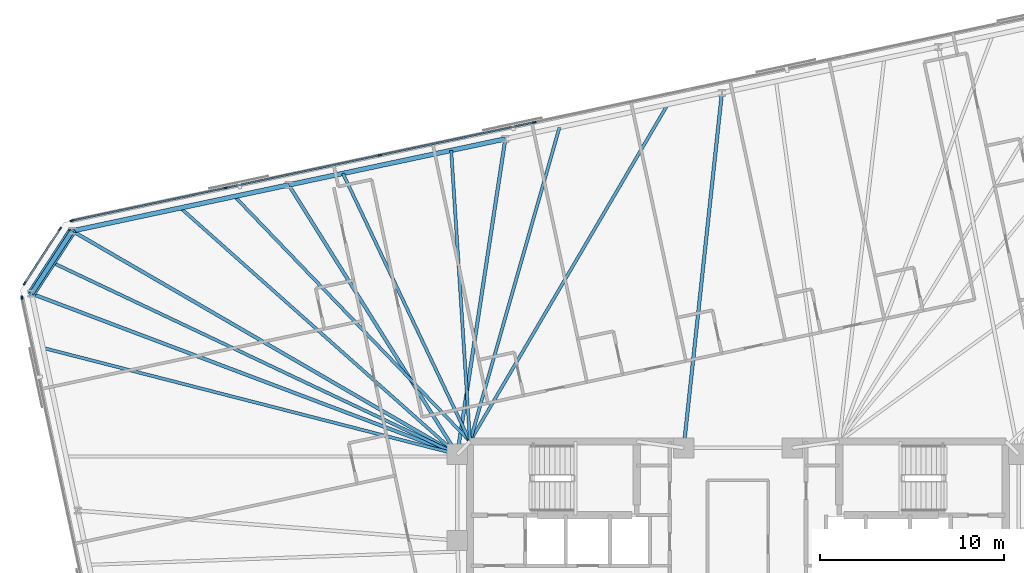
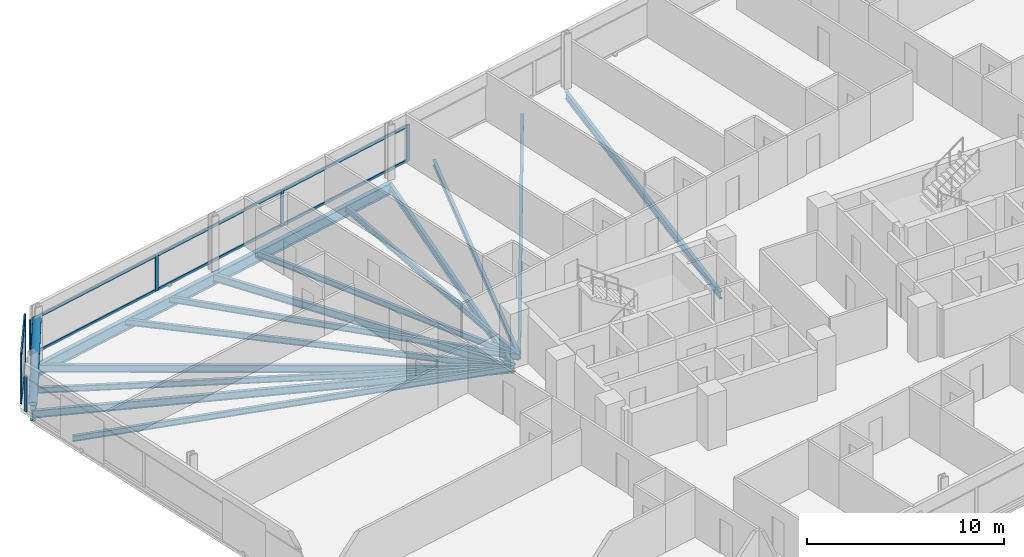
# One storey, part 9 of 20: 16 beams, 16 members, 3 elements without a shape of their own.
"""IFC4 building model written with IfcOpenShell, lengths in metres."""

from ifc_helpers import new_model, si_unit, direction, frame, origin, origin_2d, place, context, subcontext, project, spatial, rectangle, hollow_circle, i_section, extrude, material, material_profile, profile_set, type_object, element, aggregate, save


model = new_model("IFC4")

# Units and contexts
model_context = context("Model", 3, precision=1e-05, world=origin(), true_north=direction((0.0, 1.0)))
body_context = subcontext(model_context, "Body", "Model", "MODEL_VIEW")
ifc_project = project(units=[si_unit("LENGTHUNIT", "METRE"), si_unit("AREAUNIT", "SQUARE_METRE"), si_unit("VOLUMEUNIT", "CUBIC_METRE"), si_unit("PLANEANGLEUNIT", "RADIAN"), si_unit("MASSUNIT", "GRAM", prefix="KILO")], contexts=[model_context])

# Site, building, storey
site_placement = place(None, origin())
site = spatial("IfcSite", under=ifc_project, at=site_placement, CompositionType="ELEMENT")
building_placement = place(site_placement, origin())
building = spatial("IfcBuilding", under=site, at=building_placement, Name="Menara Jurai Vektor", CompositionType="ELEMENT")
storey_placement = place(building_placement, frame((0.0, 0.0, 199.0)))
storey = spatial("IfcBuildingStorey", under=building, at=storey_placement, Name="L52", CompositionType="ELEMENT", Elevation=199.0)

# Curtain wall, members
ifc_material_1 = material(Name="Anodised Pale Aluminium & Low-E Double Glazing", Category="aluminium")
curtain_wall_type = type_object("IfcCurtainWallType", Name="CW-BLK3", PredefinedType="NOTDEFINED", material=ifc_material_1)
curtain_wall_1_placement = place(storey_placement, origin())
curtain_wall_1 = element("IfcCurtainWall", 1, at=curtain_wall_1_placement, inside=storey, type_object=curtain_wall_type, Name="Unitised Curtain Wall L52 F05", PredefinedType="NOTDEFINED")
ifc_material_2 = material(Name="Anodised Pale Aluminium Mullion", Category="aluminium")
ifc_material_profile_1 = material_profile(ifc_material_2, rectangle(XDim=0.0849609375, YDim=0.205078125, at=origin_2d()), Name="ALU MUL 85x205")
ifc_profile_set_1 = profile_set([ifc_material_profile_1], Name="Anodised Pale Aluminium Mullion")
member_type_1 = type_object("IfcMemberType", Name="CW-BLK3-MUL", PredefinedType="MULLION", material=ifc_profile_set_1)
member_1_placement = place(storey_placement, frame((-11.06494140625, 22.9384765625, 0.0), z_axis=(0.0, 0.0, 1.0), x_axis=(0.207911344156, -0.978147674419, 0.0)))
member_1 = element("IfcMember", 2, at=member_1_placement, type_object=member_type_1, Name="CW-03 mullion 5", PredefinedType="MULLION", context=body_context, shape_type="SweptSolid", body=[
    extrude(rectangle(XDim=0.0849609375, YDim=0.205078125, at=origin_2d()), origin(), (0.0, 0.0, 1.0), 2.22509765625),
])
member_2_placement = place(storey_placement, frame((-19.45458984375, 21.1552734375, 0.0), z_axis=(0.0, 0.0, 1.0), x_axis=(0.207911344156, -0.978147674419, 0.0)))
member_2 = element("IfcMember", 3, at=member_2_placement, type_object=member_type_1, Name="CW-03 mullion 6", PredefinedType="MULLION", context=body_context, shape_type="SweptSolid", body=[
    extrude(rectangle(XDim=0.0849609375, YDim=0.205078125, at=origin_2d()), origin(), (0.0, 0.0, 1.0), 2.22509765625),
])
member_3_placement = place(storey_placement, frame((-27.844482421875, 19.3720703125, 0.0), z_axis=(0.0, 0.0, 1.0), x_axis=(0.207911344156, -0.978147674419, 0.0)))
member_3 = element("IfcMember", 4, at=member_3_placement, type_object=member_type_1, Name="CW-03 mullion 7", PredefinedType="MULLION", context=body_context, shape_type="SweptSolid", body=[
    extrude(rectangle(XDim=0.0849609375, YDim=0.205078125, at=origin_2d()), origin(), (0.0, 0.0, 1.0), 2.22509765625),
])
member_4_placement = place(storey_placement, frame((-36.192626953125, 17.59765625, 0.0), z_axis=(0.0, 0.0, 1.0), x_axis=(0.207911344156, -0.978147674419, 0.0)))
member_4 = element("IfcMember", 5, at=member_4_placement, type_object=member_type_1, Name="CW-03 mullion 8", PredefinedType="MULLION", context=body_context, shape_type="SweptSolid", body=[
    extrude(rectangle(XDim=0.0849609375, YDim=0.205078125, at=origin_2d()), origin(), (0.0, 0.0, 1.0), 2.22509765625),
])

curtain_wall_2_placement = place(storey_placement, origin())
curtain_wall_2 = element("IfcCurtainWall", 6, at=curtain_wall_2_placement, inside=storey, type_object=curtain_wall_type, Name="Unitised Curtain Wall L52 F06", PredefinedType="NOTDEFINED")
member_5_placement = place(storey_placement, frame((-36.8359375, 17.1552734375, 0.0), z_axis=(0.0, 0.0, 1.0), x_axis=(0.838684361415, -0.544617794346, 0.0)))
member_5 = element("IfcMember", 7, at=member_5_placement, type_object=member_type_1, Name="CW-03 mullion 1", PredefinedType="MULLION", context=body_context, shape_type="SweptSolid", body=[
    extrude(rectangle(XDim=0.0849609375, YDim=0.205078125, at=origin_2d()), origin(), (0.0, 0.0, 1.0), 2.9951171875),
])
member_6_placement = place(storey_placement, frame((-38.763427734375, 14.187255859375, 0.0), z_axis=(0.0, 0.0, 1.0), x_axis=(0.838684361415, -0.544617794346, 0.0)))
member_6 = element("IfcMember", 8, at=member_6_placement, type_object=member_type_1, Name="CW-03 mullion 2", PredefinedType="MULLION", context=body_context, shape_type="SweptSolid", body=[
    extrude(rectangle(XDim=0.0849609375, YDim=0.205078125, at=origin_2d()), origin(), (0.0, 0.0, 1.0), 2.9951171875),
])

# Curtain wall, member
curtain_wall_3_placement = place(storey_placement, origin())
curtain_wall_3 = element("IfcCurtainWall", 9, at=curtain_wall_3_placement, inside=storey, type_object=curtain_wall_type, Name="Unitised Curtain Wall L52 F07", PredefinedType="NOTDEFINED")
member_7_placement = place(storey_placement, frame((-38.90576171875, 13.419677734375, 0.0), z_axis=(0.0, 0.0, 1.0), x_axis=(0.978147883949, 0.20791035839, 0.0)))
member_7 = element("IfcMember", 10, at=member_7_placement, type_object=member_type_1, Name="CW-03 mullion 1", PredefinedType="MULLION", context=body_context, shape_type="SweptSolid", body=[
    extrude(rectangle(XDim=0.0849609375, YDim=0.205078125, at=origin_2d()), origin(), (0.0, 0.0, 1.0), 2.22509765625),
])
aggregate(curtain_wall_3, [member_7])

# Member
ifc_material_3 = material(Name="Anodised Pale Aluminium Transom", Category="aluminium")
ifc_material_profile_2 = material_profile(ifc_material_3, rectangle(XDim=0.0849609375, YDim=0.175048828125, at=origin_2d()), Name="ALU TRN 85x175")
ifc_profile_set_2 = profile_set([ifc_material_profile_2], Name="Anodised Pale Aluminium Transom")
member_type_2 = type_object("IfcMemberType", Name="CW-BLK3-TRN", PredefinedType="USERDEFINED", material=ifc_profile_set_2)
member_8_placement = place(storey_placement, frame((-11.1064453125, 22.9296875, 0.04248046875), z_axis=(-0.978147743708, -0.207911018178, 0.0), x_axis=(0.207911018178, -0.978147743708, 0.0)))
member_8 = element("IfcMember", 11, at=member_8_placement, type_object=member_type_2, Name="CW-03 transom 5.1", ObjectType="TRANSOM", PredefinedType="USERDEFINED", context=body_context, shape_type="SweptSolid", body=[
    extrude(rectangle(XDim=0.0849609375, YDim=0.175048828125, at=origin_2d()), origin(), (0.0, 0.0, 1.0), 8.4921875),
])

member_9_placement = place(storey_placement, frame((-11.1064453125, 22.9296875, 2.1826171875), z_axis=(-0.978147743708, -0.207911018178, 0.0), x_axis=(0.207911018178, -0.978147743708, 0.0)))
member_9 = element("IfcMember", 12, at=member_9_placement, type_object=member_type_2, Name="CW-03 transom 5.2", ObjectType="TRANSOM", PredefinedType="USERDEFINED", context=body_context, shape_type="SweptSolid", body=[
    extrude(rectangle(XDim=0.0849609375, YDim=0.175048828125, at=origin_2d()), origin(), (0.0, 0.0, 1.0), 8.4921875),
])

member_10_placement = place(storey_placement, frame((-19.496337890625, 21.146484375, 0.04248046875), z_axis=(-0.978146500933, -0.207916864907, 0.0), x_axis=(0.207916864907, -0.978146500933, 0.0)))
member_10 = element("IfcMember", 13, at=member_10_placement, type_object=member_type_2, Name="CW-03 transom 6.1", ObjectType="TRANSOM", PredefinedType="USERDEFINED", context=body_context, shape_type="SweptSolid", body=[
    extrude(rectangle(XDim=0.0849609375, YDim=0.175048828125, at=origin_2d()), origin(), (0.0, 0.0, 1.0), 8.491943359375),
])

member_11_placement = place(storey_placement, frame((-19.496337890625, 21.146484375, 2.1826171875), z_axis=(-0.978146500933, -0.207916864907, 0.0), x_axis=(0.207916864907, -0.978146500933, 0.0)))
member_11 = element("IfcMember", 14, at=member_11_placement, type_object=member_type_2, Name="CW-03 transom 6.2", ObjectType="TRANSOM", PredefinedType="USERDEFINED", context=body_context, shape_type="SweptSolid", body=[
    extrude(rectangle(XDim=0.0849609375, YDim=0.175048828125, at=origin_2d()), origin(), (0.0, 0.0, 1.0), 8.491943359375),
])

member_12_placement = place(storey_placement, frame((-27.885986328125, 19.363037109375, 0.04248046875), z_axis=(-0.978151580361, -0.207892967261, 0.0), x_axis=(0.207892967261, -0.978151580361, 0.0)))
member_12 = element("IfcMember", 15, at=member_12_placement, type_object=member_type_2, Name="CW-03 transom 7.1", ObjectType="TRANSOM", PredefinedType="USERDEFINED", context=body_context, shape_type="SweptSolid", body=[
    extrude(rectangle(XDim=0.0849609375, YDim=0.175048828125, at=origin_2d()), origin(), (0.0, 0.0, 1.0), 8.449462890625),
])

member_13_placement = place(storey_placement, frame((-27.885986328125, 19.363037109375, 2.1826171875), z_axis=(-0.978151580361, -0.207892967261, 0.0), x_axis=(0.207892967261, -0.978151580361, 0.0)))
member_13 = element("IfcMember", 16, at=member_13_placement, type_object=member_type_2, Name="CW-03 transom 7.2", ObjectType="TRANSOM", PredefinedType="USERDEFINED", context=body_context, shape_type="SweptSolid", body=[
    extrude(rectangle(XDim=0.0849609375, YDim=0.175048828125, at=origin_2d()), origin(), (0.0, 0.0, 1.0), 8.449462890625),
])

aggregate(curtain_wall_1, [member_1, member_2, member_3, member_4, member_8, member_9, member_10, member_11, member_12, member_13])

member_14_placement = place(storey_placement, frame((-36.859130859375, 17.11962890625, 0.04248046875), z_axis=(-0.54462804274, -0.83867770631, 0.0), x_axis=(0.83867770631, -0.54462804274, 0.0)))
member_14 = element("IfcMember", 17, at=member_14_placement, type_object=member_type_2, Name="CW-03 transom 1.1", ObjectType="TRANSOM", PredefinedType="USERDEFINED", context=body_context, shape_type="SweptSolid", body=[
    extrude(rectangle(XDim=0.0849609375, YDim=0.175048828125, at=origin_2d()), origin(), (0.0, 0.0, 1.0), 3.453857421875),
])

member_15_placement = place(storey_placement, frame((-36.859130859375, 17.11962890625, 2.952392578125), z_axis=(-0.54462804274, -0.83867770631, 0.0), x_axis=(0.83867770631, -0.54462804274, 0.0)))
member_15 = element("IfcMember", 18, at=member_15_placement, type_object=member_type_2, Name="CW-03 transom 1.2", ObjectType="TRANSOM", PredefinedType="USERDEFINED", context=body_context, shape_type="SweptSolid", body=[
    extrude(rectangle(XDim=0.0849609375, YDim=0.175048828125, at=origin_2d()), origin(), (0.0, 0.0, 1.0), 3.453857421875),
])

aggregate(curtain_wall_2, [member_5, member_6, member_14, member_15])

# Beams
ifc_material_4 = material(Name="Steel S355", Category="steel")
ifc_material_profile_3 = material_profile(ifc_material_4, i_section(OverallWidth=0.19091796875, OverallDepth=0.4599609375, WebThickness=0.010009765625, FlangeThickness=0.01611328125, FilletRadius=0.010009765625, at=origin_2d()), Name="UKB 457x191x82")
ifc_profile_set_3 = profile_set([ifc_material_profile_3], Name="Steel S355")
beam_type_1 = type_object("IfcBeamType", Name="STR-BM-457", PredefinedType="BEAM", material=ifc_profile_set_3)
beam_1_placement = place(storey_placement, frame((-0.87158203125, 24.54296875, -0.455078125), z_axis=(-0.107107067506, -0.994247492373, 0.0), x_axis=(0.994247492373, -0.107107067506, 0.0)))
element("IfcBeam", 19, at=beam_1_placement, inside=storey, type_object=beam_type_1, Name="Radial Floor Girder L52-N3", PredefinedType="BEAM", context=body_context, shape_type="SweptSolid", body=[
    extrude(i_section(OverallWidth=0.19091796875, OverallDepth=0.4599609375, WebThickness=0.010009765625, FlangeThickness=0.01611328125, FilletRadius=0.010009765625, at=origin_2d()), origin(), (0.0, 0.0, 1.0), 19.404541015625),
])
beam_2_placement = place(storey_placement, frame((-12.639892578125, 22.04150390625, -0.455078125), z_axis=(-0.150532344322, -0.988605084608, 0.0), x_axis=(0.988605084608, -0.150532344322, 0.0)))
element("IfcBeam", 20, at=beam_2_placement, inside=storey, type_object=beam_type_1, Name="Radial Floor Girder L52-N4", PredefinedType="BEAM", context=body_context, shape_type="SweptSolid", body=[
    extrude(i_section(OverallWidth=0.19091796875, OverallDepth=0.4599609375, WebThickness=0.010009765625, FlangeThickness=0.01611328125, FilletRadius=0.010009765625, at=origin_2d()), origin(), (0.0, 0.0, 1.0), 17.339111328125),
])
beam_3_placement = place(storey_placement, frame((-24.408203125, 19.5400390625, -0.455078125), z_axis=(0.53033693414, -0.847786963976, 0.0), x_axis=(0.847786963976, 0.53033693414, 0.0)))
element("IfcBeam", 21, at=beam_3_placement, inside=storey, type_object=beam_type_1, Name="Radial Floor Girder L52-N5", PredefinedType="BEAM", context=body_context, shape_type="SweptSolid", body=[
    extrude(i_section(OverallWidth=0.19091796875, OverallDepth=0.4599609375, WebThickness=0.010009765625, FlangeThickness=0.01611328125, FilletRadius=0.010009765625, at=origin_2d()), origin(), (0.0, 0.0, 1.0), 17.2685546875),
])
beam_4_placement = place(storey_placement, frame((-36.17626953125, 17.038818359375, -0.455078125), z_axis=(0.86500105453, -0.50177004261, 0.0), x_axis=(0.50177004261, 0.86500105453, 0.0)))
element("IfcBeam", 22, at=beam_4_placement, inside=storey, type_object=beam_type_1, Name="Radial Floor Girder L52-N6", PredefinedType="BEAM", context=body_context, shape_type="SweptSolid", body=[
    extrude(i_section(OverallWidth=0.19091796875, OverallDepth=0.4599609375, WebThickness=0.010009765625, FlangeThickness=0.01611328125, FilletRadius=0.010009765625, at=origin_2d()), origin(), (0.0, 0.0, 1.0), 24.192138671875),
])
beam_5_placement = place(storey_placement, frame((-38.388671875, 13.632080078125, -0.455078125), z_axis=(0.935593658977, -0.353078610626, 0.0), x_axis=(0.353078610626, 0.935593658977, 0.0)))
element("IfcBeam", 23, at=beam_5_placement, inside=storey, type_object=beam_type_1, Name="Radial Floor Girder L52-W1", PredefinedType="BEAM", context=body_context, shape_type="SweptSolid", body=[
    extrude(i_section(OverallWidth=0.19091796875, OverallDepth=0.4599609375, WebThickness=0.010009765625, FlangeThickness=0.01611328125, FilletRadius=0.010009765625, at=origin_2d()), origin(), (0.0, 0.0, 1.0), 24.7314453125),
])

# Member
ifc_material_5 = material(Name="Steel S460", Category="steel")
ifc_material_profile_4 = material_profile(ifc_material_5, hollow_circle(Radius=0.228515625, WallThickness=0.01611328125, at=origin_2d()), Name="CHS 457x16")
ifc_profile_set_4 = profile_set([ifc_material_profile_4], Name="Steel S460")
member_type_3 = type_object("IfcMemberType", Name="STR-BR-457", PredefinedType="BRACE", material=ifc_profile_set_4)
member_16_placement = place(storey_placement, frame((-38.388671875, 13.632080078125, 0.14990234375), z_axis=(0.464105372013, 0.714595261057, 0.52341170845), x_axis=(-0.838648168484, 0.544673525608, 0.0)))
element("IfcMember", 24, at=member_16_placement, inside=storey, type_object=member_type_3, Name="Exoskeleton Corner Brace L52-3", PredefinedType="BRACE", context=body_context, shape_type="SweptSolid", body=[
    extrude(hollow_circle(Radius=0.228515625, WallThickness=0.01611328125, at=origin_2d()), origin(), (0.0, 0.0, 1.0), 4.76708984375),
])

# Beams
ifc_material_profile_5 = material_profile(ifc_material_4, i_section(OverallWidth=0.172119140625, OverallDepth=0.35498046875, WebThickness=0.007080078125, FlangeThickness=0.011962890625, FilletRadius=0.010009765625, at=origin_2d()), Name="UKB 356x171x51")
ifc_profile_set_5 = profile_set([ifc_material_profile_5], Name="Steel S355")
beam_type_2 = type_object("IfcBeamType", Name="STR-JS-356", PredefinedType="JOIST", material=ifc_profile_set_5)
beam_6_placement = place(storey_placement, frame((-3.813720703125, 23.91748046875, -0.402587890625), z_axis=(-0.506019514775, -0.862522029091, 0.0), x_axis=(0.862522029091, -0.506019514775, 0.0)))
element("IfcBeam", 25, at=beam_6_placement, inside=storey, type_object=beam_type_2, Name="Radial Secondary Floor Joist L52-JS22", PredefinedType="JOIST", context=body_context, shape_type="SweptSolid", body=[
    extrude(i_section(OverallWidth=0.172119140625, OverallDepth=0.35498046875, WebThickness=0.007080078125, FlangeThickness=0.011962890625, FilletRadius=0.010009765625, at=origin_2d()), origin(), (0.0, 0.0, 1.0), 21.237060546875),
])
beam_7_placement = place(storey_placement, frame((-9.69775390625, 22.666748046875, -0.402587890625), z_axis=(-0.273997863708, -0.961730300387, 0.0), x_axis=(0.961730300387, -0.273997863708, 0.0)))
element("IfcBeam", 26, at=beam_7_placement, inside=storey, type_object=beam_type_2, Name="Radial Secondary Floor Joist L52-JS23", PredefinedType="JOIST", context=body_context, shape_type="SweptSolid", body=[
    extrude(i_section(OverallWidth=0.172119140625, OverallDepth=0.35498046875, WebThickness=0.007080078125, FlangeThickness=0.011962890625, FilletRadius=0.010009765625, at=origin_2d()), origin(), (0.0, 0.0, 1.0), 17.745849609375),
])
beam_8_placement = place(storey_placement, frame((-15.581787109375, 21.416015625, -0.402587890625), z_axis=(0.064466897528, -0.997919846041, 0.0), x_axis=(0.997919846041, 0.064466897528, 0.0)))
element("IfcBeam", 27, at=beam_8_placement, inside=storey, type_object=beam_type_2, Name="Radial Secondary Floor Joist L52-JS24", PredefinedType="JOIST", context=body_context, shape_type="SweptSolid", body=[
    extrude(i_section(OverallWidth=0.172119140625, OverallDepth=0.35498046875, WebThickness=0.007080078125, FlangeThickness=0.011962890625, FilletRadius=0.010009765625, at=origin_2d()), origin(), (0.0, 0.0, 1.0), 15.848876953125),
])
beam_9_placement = place(storey_placement, frame((-21.466064453125, 20.165283203125, -0.402587890625), z_axis=(0.428426167333, -0.903576792057, 0.0), x_axis=(0.903576792057, 0.428426167333, 0.0)))
element("IfcBeam", 28, at=beam_9_placement, inside=storey, type_object=beam_type_2, Name="Radial Secondary Floor Joist L52-JS25", PredefinedType="JOIST", context=body_context, shape_type="SweptSolid", body=[
    extrude(i_section(OverallWidth=0.172119140625, OverallDepth=0.35498046875, WebThickness=0.007080078125, FlangeThickness=0.011962890625, FilletRadius=0.010009765625, at=origin_2d()), origin(), (0.0, 0.0, 1.0), 16.119384765625),
])
beam_10_placement = place(storey_placement, frame((-27.35009765625, 18.914794921875, -0.402587890625), z_axis=(0.692755307066, -0.721172714772, 0.0), x_axis=(0.721172714772, 0.692755307066, 0.0)))
element("IfcBeam", 29, at=beam_10_placement, inside=storey, type_object=beam_type_2, Name="Radial Secondary Floor Joist L52-JS26", PredefinedType="JOIST", context=body_context, shape_type="SweptSolid", body=[
    extrude(i_section(OverallWidth=0.172119140625, OverallDepth=0.35498046875, WebThickness=0.007080078125, FlangeThickness=0.011962890625, FilletRadius=0.010009765625, at=origin_2d()), origin(), (0.0, 0.0, 1.0), 18.462646484375),
])
beam_11_placement = place(storey_placement, frame((-30.292236328125, 18.289306640625, -0.402587890625), z_axis=(0.746952302948, -0.664877625673, 0.0), x_axis=(0.664877625673, 0.746952302948, 0.0)))
element("IfcBeam", 30, at=beam_11_placement, inside=storey, type_object=beam_type_2, Name="Radial Secondary Floor Joist L52-JS27", PredefinedType="JOIST", context=body_context, shape_type="SweptSolid", body=[
    extrude(i_section(OverallWidth=0.172119140625, OverallDepth=0.35498046875, WebThickness=0.007080078125, FlangeThickness=0.011962890625, FilletRadius=0.010009765625, at=origin_2d()), origin(), (0.0, 0.0, 1.0), 20.13818359375),
])
beam_12_placement = place(storey_placement, frame((-37.282470703125, 15.33544921875, -0.402587890625), z_axis=(0.903751908448, -0.428056641085, 0.0), x_axis=(0.428056641085, 0.903751908448, 0.0)))
element("IfcBeam", 31, at=beam_12_placement, inside=storey, type_object=beam_type_2, Name="Radial Secondary Floor Joist L52-JS28", PredefinedType="JOIST", context=body_context, shape_type="SweptSolid", body=[
    extrude(i_section(OverallWidth=0.172119140625, OverallDepth=0.35498046875, WebThickness=0.007080078125, FlangeThickness=0.011962890625, FilletRadius=0.010009765625, at=origin_2d()), origin(), (0.0, 0.0, 1.0), 24.37890625),
])
beam_13_placement = place(storey_placement, frame((-37.76220703125, 10.68505859375, -0.402587890625), z_axis=(0.968531283953, -0.248891848005, 0.0), x_axis=(0.248891848005, 0.968531283953, 0.0)))
element("IfcBeam", 32, at=beam_13_placement, inside=storey, type_object=beam_type_2, Name="Radial Secondary Floor Joist L52-JS29", PredefinedType="JOIST", context=body_context, shape_type="SweptSolid", body=[
    extrude(i_section(OverallWidth=0.172119140625, OverallDepth=0.35498046875, WebThickness=0.007080078125, FlangeThickness=0.011962890625, FilletRadius=0.010009765625, at=origin_2d()), origin(), (0.0, 0.0, 1.0), 23.24365234375),
])
ifc_material_profile_6 = material_profile(ifc_material_5, i_section(OverallWidth=0.256103515625, OverallDepth=0.693115234375, WebThickness=0.013916015625, FlangeThickness=0.02392578125, FilletRadius=0.014892578125, at=origin_2d()), Name="UKB 686x254x170")
ifc_profile_set_6 = profile_set([ifc_material_profile_6], Name="Steel S460")
beam_type_3 = type_object("IfcBeamType", Name="STR-SP-686", PredefinedType="SPANDREL", material=ifc_profile_set_6)
beam_14_placement = place(storey_placement, frame((-12.639892578125, 22.04150390625, -0.571533203125), z_axis=(-0.978147039247, -0.207914332389, 0.0), x_axis=(0.207914332389, -0.978147039247, 0.0)))
element("IfcBeam", 33, at=beam_14_placement, inside=storey, type_object=beam_type_3, Name="Exoskeleton Spandrel Beam L52-14", PredefinedType="SPANDREL", context=body_context, shape_type="SweptSolid", body=[
    extrude(i_section(OverallWidth=0.256103515625, OverallDepth=0.693115234375, WebThickness=0.013916015625, FlangeThickness=0.02392578125, FilletRadius=0.014892578125, at=origin_2d()), origin(), (0.0, 0.0, 1.0), 12.03125),
])
beam_15_placement = place(storey_placement, frame((-24.408203125, 19.5400390625, -0.571533203125), z_axis=(-0.978150288855, -0.207899043801, 0.0), x_axis=(0.207899043801, -0.978150288855, 0.0)))
element("IfcBeam", 34, at=beam_15_placement, inside=storey, type_object=beam_type_3, Name="Exoskeleton Spandrel Beam L52-15", PredefinedType="SPANDREL", context=body_context, shape_type="SweptSolid", body=[
    extrude(i_section(OverallWidth=0.256103515625, OverallDepth=0.693115234375, WebThickness=0.013916015625, FlangeThickness=0.02392578125, FilletRadius=0.014892578125, at=origin_2d()), origin(), (0.0, 0.0, 1.0), 12.031005859375),
])
beam_16_placement = place(storey_placement, frame((-36.17626953125, 17.038818359375, -0.571533203125), z_axis=(-0.544646071268, -0.838665998507, 0.0), x_axis=(0.838665998507, -0.544646071268, 0.0)))
element("IfcBeam", 35, at=beam_16_placement, inside=storey, type_object=beam_type_3, Name="Exoskeleton Spandrel Beam L52-16", PredefinedType="SPANDREL", context=body_context, shape_type="SweptSolid", body=[
    extrude(i_section(OverallWidth=0.256103515625, OverallDepth=0.693115234375, WebThickness=0.013916015625, FlangeThickness=0.02392578125, FilletRadius=0.014892578125, at=origin_2d()), origin(), (0.0, 0.0, 1.0), 4.06201171875),
])

save(model, "model.ifc")
